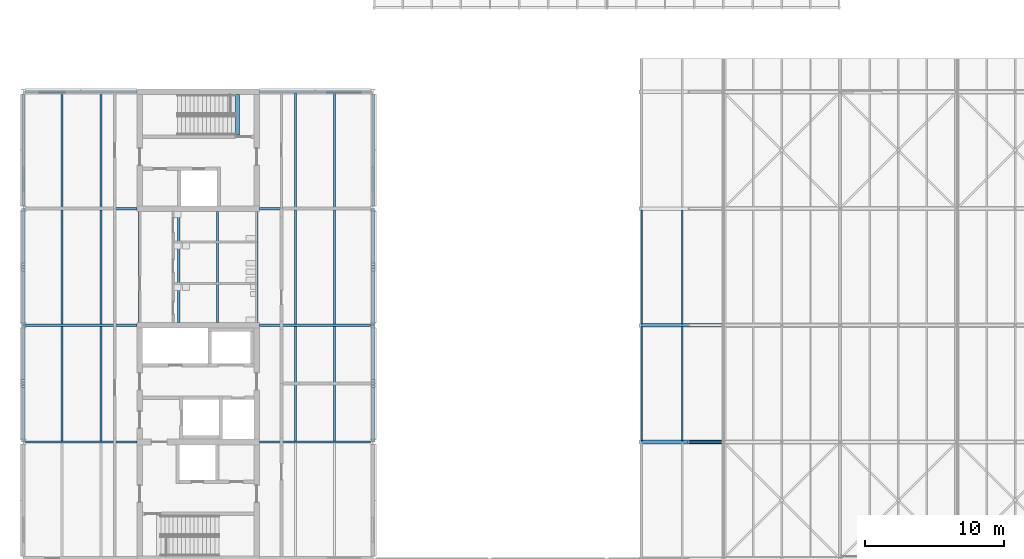
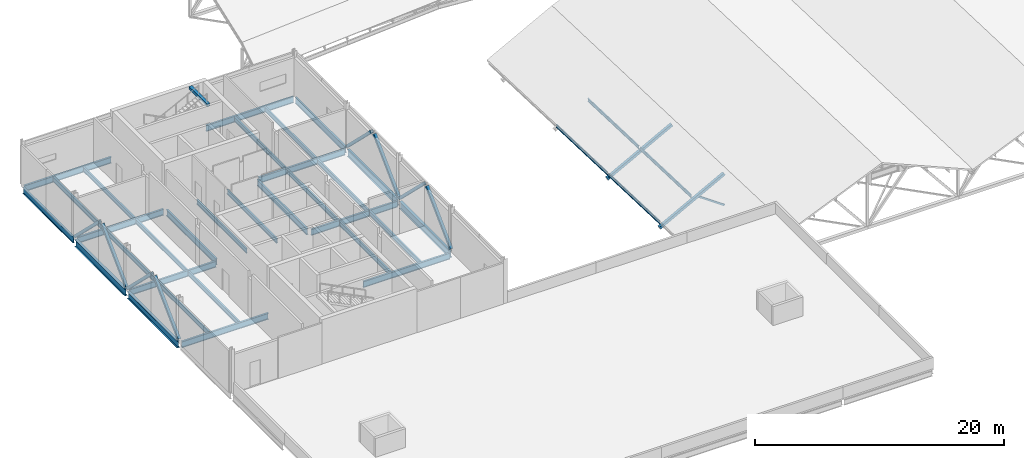
# One storey, part 10 of 76: 37 beams, 9 members.
"""IFC4 building model written with IfcOpenShell, lengths in metres."""

from ifc_helpers import new_model, si_unit, direction, frame, origin, origin_2d, place, context, subcontext, project, spatial, rectangle, hollow_rectangle, i_section, extrude, material, material_profile, profile_set, type_object, element, save


model = new_model("IFC4")

# Units and contexts
model_context = context("Model", 3, precision=1e-05, world=origin(), true_north=direction((0.0, 1.0)))
body_context = subcontext(model_context, "Body", "Model", "MODEL_VIEW")
ifc_project = project(units=[si_unit("LENGTHUNIT", "METRE"), si_unit("AREAUNIT", "SQUARE_METRE"), si_unit("VOLUMEUNIT", "CUBIC_METRE"), si_unit("PLANEANGLEUNIT", "RADIAN"), si_unit("MASSUNIT", "GRAM", prefix="KILO")], contexts=[model_context])

# Site, building, storey
site_placement = place(None, origin())
site = spatial("IfcSite", under=ifc_project, at=site_placement, CompositionType="ELEMENT")
building_placement = place(site_placement, origin())
building = spatial("IfcBuilding", under=site, at=building_placement, Name="Hlaing Beacon Police Headquarters", CompositionType="ELEMENT")
storey_placement = place(building_placement, frame((0.0, 0.0, 18.89990234375)))
storey = spatial("IfcBuildingStorey", under=building, at=storey_placement, Name="L04", CompositionType="ELEMENT", Elevation=18.89990234375)

# Members
ifc_material_1 = material(Name="Steel ASTM A500 Grade C", Category="steel")
ifc_material_profile_1 = material_profile(ifc_material_1, hollow_rectangle(XDim=0.25390625, YDim=0.25390625, WallThickness=0.009521484375, at=origin_2d()), Name="HSS10x10x3/8")
ifc_profile_set_1 = profile_set([ifc_material_profile_1], Name="Steel ASTM A500 Grade C")
member_type_1 = type_object("IfcMemberType", Name="Chevron brace HSS10x10x3/8", PredefinedType="BRACE", material=ifc_profile_set_1)
for number, where, z_axis, x_axis, name in (
    (1, (8.39990234375, 42.093994140625, 0.091064453125), (0.0, 0.714838395404, 0.69928968851), (-1.0, 0.0, 0.0), "STR-BR-L04-B6a"),
    (2, (8.39990234375, 50.305908203125, 0.091064453125), (0.0, -0.714838395404, 0.69928968851), (1.0, 0.0, 0.0), "STR-BR-L04-B6b"),
    (3, (8.39990234375, 50.493896484375, 0.091064453125), (0.0, 0.714838395404, 0.69928968851), (-1.0, 0.0, 0.0), "STR-BR-L04-B7a"),
    (4, (8.39990234375, 58.7060546875, 0.091064453125), (0.0, -0.714838395404, 0.69928968851), (1.0, 0.0, 0.0), "STR-BR-L04-B7b"),
    (5, (33.60009765625, 42.093994140625, 0.091064453125), (0.0, 0.714838395404, 0.69928968851), (-1.0, 0.0, 0.0), "STR-BR-L04-E6a"),
    (6, (33.60009765625, 50.305908203125, 0.091064453125), (0.0, -0.714838395404, 0.69928968851), (1.0, 0.0, 0.0), "STR-BR-L04-E6b"),
    (7, (33.60009765625, 50.493896484375, 0.091064453125), (0.0, 0.714838395404, 0.69928968851), (-1.0, 0.0, 0.0), "STR-BR-L04-E7a"),
    (8, (33.60009765625, 58.7060546875, 0.091064453125), (0.0, -0.714838395404, 0.69928968851), (1.0, 0.0, 0.0), "STR-BR-L04-E7b"),
):
    element("IfcMember", number, at=place(storey_placement, frame(where, z_axis=z_axis, x_axis=x_axis)), inside=storey, type_object=member_type_1, Name=name, PredefinedType="BRACE", context=body_context, shape_type="SweptSolid", body=[
        extrude(hollow_rectangle(XDim=0.25390625, YDim=0.25390625, WallThickness=0.009521484375, at=origin_2d()), origin(), (0.0, 0.0, 1.0), 5.464111328125),
    ])
ifc_material_2 = material(Name="Steel ASTM A500 Grade C", Category="steel")
ifc_material_profile_2 = material_profile(ifc_material_2, hollow_rectangle(XDim=0.15234375, YDim=0.15234375, WallThickness=0.0126953125, at=origin_2d()), Name="HSS6x6x1/2")
ifc_profile_set_2 = profile_set([ifc_material_profile_2], Name="Steel ASTM A500 Grade C")
member_type_2 = type_object("IfcMemberType", Name="Eave strut HSS6x6x1/2", PredefinedType="BRACE", material=ifc_profile_set_2)
member_placement = place(storey_placement, frame((58.800048828125, 42.0, -4.347412109375), z_axis=(-0.820772849728, 0.0, 0.571254697267), x_axis=(0.0, -1.0, 0.0)))
element("IfcMember", 9, at=member_placement, inside=storey, type_object=member_type_2, Name="STR-RT-V1-T2-ST01", PredefinedType="BRACE", context=body_context, shape_type="SweptSolid", body=[
    extrude(hollow_rectangle(XDim=0.15234375, YDim=0.15234375, WallThickness=0.0126953125, at=origin_2d()), origin(), (0.0, 0.0, 1.0), 3.0458984375),
])

# Beams
ifc_material_3 = material(Name="Steel ASTM A992 Grade 50", Category="steel")
ifc_material_profile_3 = material_profile(ifc_material_3, i_section(OverallWidth=0.177978515625, OverallDepth=0.599365234375, WebThickness=0.010009765625, FlangeThickness=0.012939453125, FilletRadius=0.012939453125, at=origin_2d()), Name="W24x55")
ifc_profile_set_3 = profile_set([ifc_material_profile_3], Name="Steel ASTM A992 Grade 50")
beam_type_1 = type_object("IfcBeamType", Name="Girder W24x55", PredefinedType="BEAM", material=ifc_profile_set_3)
for number, where, z_axis, x_axis, name in (
    (10, (8.5849609375, 42.0, -0.4296875), (1.0, 0.0, 0.0), (0.0, 1.0, 0.0), "STR-BM-L04-GX-B6-C6"),
    (11, (25.39990234375, 42.0, -0.4296875), (1.0, 0.0, 0.0), (0.0, 1.0, 0.0), "STR-BM-L04-GX-D6-E6"),
    (12, (8.5849609375, 50.39990234375, -0.4296875), (1.0, 0.0, 0.0), (0.0, 1.0, 0.0), "STR-BM-L04-GX-B7-C7"),
    (13, (25.39990234375, 50.39990234375, -0.4296875), (1.0, 0.0, 0.0), (0.0, 1.0, 0.0), "STR-BM-L04-GX-D7-E7"),
    (14, (8.5849609375, 58.800048828125, -0.4296875), (1.0, 0.0, 0.0), (0.0, 1.0, 0.0), "STR-BM-L04-GX-B8-C8"),
    (15, (25.39990234375, 58.800048828125, -0.4296875), (1.0, 0.0, 0.0), (0.0, 1.0, 0.0), "STR-BM-L04-GX-D8-E8"),
):
    element("IfcBeam", number, at=place(storey_placement, frame(where, z_axis=z_axis, x_axis=x_axis)), inside=storey, type_object=beam_type_1, Name=name, PredefinedType="BEAM", context=body_context, shape_type="SweptSolid", body=[
        extrude(i_section(OverallWidth=0.177978515625, OverallDepth=0.599365234375, WebThickness=0.010009765625, FlangeThickness=0.012939453125, FilletRadius=0.012939453125, at=origin_2d()), origin(), (0.0, 0.0, 1.0), 8.01513671875),
    ])
for number, where, z_axis, x_axis, name in (
    (16, (8.527099609375, 67.199951171875, -0.4296875), (1.0, 0.0, 0.0), (0.0, 1.0, 0.0), "STR-BM-L04-GX-B9-C9"),
    (17, (25.39990234375, 67.199951171875, -0.4296875), (1.0, 0.0, 0.0), (0.0, 1.0, 0.0), "STR-BM-L04-GX-D9-E9"),
):
    element("IfcBeam", number, at=place(storey_placement, frame(where, z_axis=z_axis, x_axis=x_axis)), inside=storey, type_object=beam_type_1, Name=name, PredefinedType="BEAM", context=body_context, shape_type="SweptSolid", body=[
        extrude(i_section(OverallWidth=0.177978515625, OverallDepth=0.599365234375, WebThickness=0.010009765625, FlangeThickness=0.012939453125, FilletRadius=0.012939453125, at=origin_2d()), origin(), (0.0, 0.0, 1.0), 8.072998046875),
    ])
beam_1_placement = place(storey_placement, frame((8.39990234375, 58.98193359375, -0.4296875), z_axis=(0.0, 1.0, 0.0), x_axis=(-1.0, 0.0, 0.0)))
element("IfcBeam", 18, at=beam_1_placement, inside=storey, type_object=beam_type_1, Name="STR-BM-L04-GY-B8-B9", PredefinedType="BEAM", context=body_context, shape_type="SweptSolid", body=[
    extrude(i_section(OverallWidth=0.177978515625, OverallDepth=0.599365234375, WebThickness=0.010009765625, FlangeThickness=0.012939453125, FilletRadius=0.012939453125, at=origin_2d()), origin(), (0.0, 0.0, 1.0), 8.0400390625),
])
for number, where, z_axis, x_axis, name in (
    (19, (16.800048828125, 50.60009765625, -0.4296875), (0.0, 1.0, 0.0), (-1.0, 0.0, 0.0), "STR-BM-L04-GY-C7-C8"),
    (20, (25.199951171875, 50.60009765625, -0.4296875), (0.0, 1.0, 0.0), (-1.0, 0.0, 0.0), "STR-BM-L04-GY-D7-D8"),
):
    element("IfcBeam", number, at=place(storey_placement, frame(where, z_axis=z_axis, x_axis=x_axis)), inside=storey, type_object=beam_type_1, Name=name, PredefinedType="BEAM", context=body_context, shape_type="SweptSolid", body=[
        extrude(i_section(OverallWidth=0.177978515625, OverallDepth=0.599365234375, WebThickness=0.010009765625, FlangeThickness=0.012939453125, FilletRadius=0.012939453125, at=origin_2d()), origin(), (0.0, 0.0, 1.0), 8.0),
    ])
beam_2_placement = place(storey_placement, frame((33.60009765625, 58.98193359375, -0.4296875), z_axis=(0.0, 1.0, 0.0), x_axis=(-1.0, 0.0, 0.0)))
element("IfcBeam", 21, at=beam_2_placement, inside=storey, type_object=beam_type_1, Name="STR-BM-L04-GY-E8-E9", PredefinedType="BEAM", context=body_context, shape_type="SweptSolid", body=[
    extrude(i_section(OverallWidth=0.177978515625, OverallDepth=0.599365234375, WebThickness=0.010009765625, FlangeThickness=0.012939453125, FilletRadius=0.012939453125, at=origin_2d()), origin(), (0.0, 0.0, 1.0), 8.0400390625),
])
ifc_material_4 = material(Name="Steel ASTM A992 Grade 50", Category="steel")
ifc_material_profile_4 = material_profile(ifc_material_4, i_section(OverallWidth=0.25390625, OverallDepth=0.683349609375, WebThickness=0.012451171875, FlangeThickness=0.01904296875, FilletRadius=0.01513671875, at=origin_2d()), Name="W27x94")
ifc_profile_set_4 = profile_set([ifc_material_profile_4], Name="Steel ASTM A992 Grade 50")
beam_type_2 = type_object("IfcBeamType", Name="Girder W27x94", PredefinedType="BEAM", material=ifc_profile_set_4)
beam_3_placement = place(storey_placement, frame((8.39990234375, 42.181884765625, -0.471435546875), z_axis=(0.0, 1.0, 0.0), x_axis=(-1.0, 0.0, 0.0)))
element("IfcBeam", 22, at=beam_3_placement, inside=storey, type_object=beam_type_2, Name="STR-BM-L04-GY-B6-B7", PredefinedType="BEAM", context=body_context, shape_type="SweptSolid", body=[
    extrude(i_section(OverallWidth=0.25390625, OverallDepth=0.683349609375, WebThickness=0.012451171875, FlangeThickness=0.01904296875, FilletRadius=0.01513671875, at=origin_2d()), origin(), (0.0, 0.0, 1.0), 8.0361328125),
])
beam_4_placement = place(storey_placement, frame((8.39990234375, 50.58203125, -0.471435546875), z_axis=(0.0, 1.0, 0.0), x_axis=(-1.0, 0.0, 0.0)))
element("IfcBeam", 23, at=beam_4_placement, inside=storey, type_object=beam_type_2, Name="STR-BM-L04-GY-B7-B8", PredefinedType="BEAM", context=body_context, shape_type="SweptSolid", body=[
    extrude(i_section(OverallWidth=0.25390625, OverallDepth=0.683349609375, WebThickness=0.012451171875, FlangeThickness=0.01904296875, FilletRadius=0.01513671875, at=origin_2d()), origin(), (0.0, 0.0, 1.0), 8.035888671875),
])
beam_5_placement = place(storey_placement, frame((33.60009765625, 42.181884765625, -0.471435546875), z_axis=(0.0, 1.0, 0.0), x_axis=(-1.0, 0.0, 0.0)))
element("IfcBeam", 24, at=beam_5_placement, inside=storey, type_object=beam_type_2, Name="STR-BM-L04-GY-E6-E7", PredefinedType="BEAM", context=body_context, shape_type="SweptSolid", body=[
    extrude(i_section(OverallWidth=0.25390625, OverallDepth=0.683349609375, WebThickness=0.012451171875, FlangeThickness=0.01904296875, FilletRadius=0.01513671875, at=origin_2d()), origin(), (0.0, 0.0, 1.0), 8.0361328125),
])
beam_6_placement = place(storey_placement, frame((33.60009765625, 50.58203125, -0.471435546875), z_axis=(0.0, 1.0, 0.0), x_axis=(-1.0, 0.0, 0.0)))
element("IfcBeam", 25, at=beam_6_placement, inside=storey, type_object=beam_type_2, Name="STR-BM-L04-GY-E7-E8", PredefinedType="BEAM", context=body_context, shape_type="SweptSolid", body=[
    extrude(i_section(OverallWidth=0.25390625, OverallDepth=0.683349609375, WebThickness=0.012451171875, FlangeThickness=0.01904296875, FilletRadius=0.01513671875, at=origin_2d()), origin(), (0.0, 0.0, 1.0), 8.035888671875),
])
ifc_material_5 = material(Name="Steel ASTM A992 Grade 50", Category="steel")
ifc_material_profile_5 = material_profile(ifc_material_5, i_section(OverallWidth=0.102294921875, OverallDepth=0.3125, WebThickness=0.006591796875, FlangeThickness=0.0107421875, FilletRadius=0.007568359375, at=origin_2d()), Name="W12x22")
ifc_profile_set_5 = profile_set([ifc_material_profile_5], Name="Steel ASTM A992 Grade 50")
beam_type_3 = type_object("IfcBeamType", Name="Roof purlin W12x22", PredefinedType="BEAM", material=ifc_profile_set_5)
beam_7_placement = place(storey_placement, frame((52.931640625, 42.090576171875, -4.0869140625), z_axis=(0.0, 0.999362097782, -0.035712708045), x_axis=(-1.0, 0.0, 0.0)))
element("IfcBeam", 26, at=beam_7_placement, inside=storey, type_object=beam_type_3, Name="STR-RT-V1-PR-R1-01-2", PredefinedType="BEAM", context=body_context, shape_type="SweptSolid", body=[
    extrude(i_section(OverallWidth=0.102294921875, OverallDepth=0.3125, WebThickness=0.006591796875, FlangeThickness=0.0107421875, FilletRadius=0.007568359375, at=origin_2d()), origin(), (0.0, 0.0, 1.0), 8.223876953125),
])
beam_8_placement = place(storey_placement, frame((52.931640625, 50.490478515625, -4.386962890625), z_axis=(0.0, 0.999362135643, -0.035711648572), x_axis=(-1.0, 0.0, 0.0)))
element("IfcBeam", 27, at=beam_8_placement, inside=storey, type_object=beam_type_3, Name="STR-RT-V1-PR-R1-01-3", PredefinedType="BEAM", context=body_context, shape_type="SweptSolid", body=[
    extrude(i_section(OverallWidth=0.102294921875, OverallDepth=0.3125, WebThickness=0.006591796875, FlangeThickness=0.0107421875, FilletRadius=0.007568359375, at=origin_2d()), origin(), (0.0, 0.0, 1.0), 8.22412109375),
])
beam_9_placement = place(storey_placement, frame((55.835205078125, 42.090576171875, -2.538330078125), z_axis=(0.0, 0.999362097782, -0.035712708045), x_axis=(-1.0, 0.0, 0.0)))
element("IfcBeam", 28, at=beam_9_placement, inside=storey, type_object=beam_type_3, Name="STR-RT-V1-PR-R1-02-2", PredefinedType="BEAM", context=body_context, shape_type="SweptSolid", body=[
    extrude(i_section(OverallWidth=0.102294921875, OverallDepth=0.3125, WebThickness=0.006591796875, FlangeThickness=0.0107421875, FilletRadius=0.007568359375, at=origin_2d()), origin(), (0.0, 0.0, 1.0), 8.223876953125),
])
beam_10_placement = place(storey_placement, frame((55.835205078125, 50.490478515625, -2.83837890625), z_axis=(0.0, 0.999362135643, -0.035711648572), x_axis=(-1.0, 0.0, 0.0)))
element("IfcBeam", 29, at=beam_10_placement, inside=storey, type_object=beam_type_3, Name="STR-RT-V1-PR-R1-02-3", PredefinedType="BEAM", context=body_context, shape_type="SweptSolid", body=[
    extrude(i_section(OverallWidth=0.102294921875, OverallDepth=0.3125, WebThickness=0.006591796875, FlangeThickness=0.0107421875, FilletRadius=0.007568359375, at=origin_2d()), origin(), (0.0, 0.0, 1.0), 8.22412109375),
])
ifc_material_6 = material(Name="Steel ASTM A992 Grade 50", Category="steel")
ifc_material_profile_6 = material_profile(ifc_material_6, i_section(OverallWidth=0.15234375, OverallDepth=0.449462890625, WebThickness=0.007568359375, FlangeThickness=0.0107421875, FilletRadius=0.01025390625, at=origin_2d()), Name="W18x35")
ifc_profile_set_6 = profile_set([ifc_material_profile_6], Name="Steel ASTM A992 Grade 50")
beam_type_4 = type_object("IfcBeamType", Name="Secondary beam W18x35", PredefinedType="BEAM", material=ifc_profile_set_6)
for number, where, z_axis, x_axis, name in (
    (30, (11.199951171875, 42.089111328125, -0.354736328125), (0.0, 1.0, 0.0), (-1.0, 0.0, 0.0), "STR-BM-L04-SB-B6-y1"),
    (31, (14.0, 42.089111328125, -0.354736328125), (0.0, 1.0, 0.0), (-1.0, 0.0, 0.0), "STR-BM-L04-SB-B6-y2"),
    (32, (11.199951171875, 50.489013671875, -0.354736328125), (0.0, 1.0, 0.0), (-1.0, 0.0, 0.0), "STR-BM-L04-SB-B7-y1"),
    (33, (14.0, 50.489013671875, -0.354736328125), (0.0, 1.0, 0.0), (-1.0, 0.0, 0.0), "STR-BM-L04-SB-B7-y2"),
):
    element("IfcBeam", number, at=place(storey_placement, frame(where, z_axis=z_axis, x_axis=x_axis)), inside=storey, type_object=beam_type_4, Name=name, PredefinedType="BEAM", context=body_context, shape_type="SweptSolid", body=[
        extrude(i_section(OverallWidth=0.15234375, OverallDepth=0.449462890625, WebThickness=0.007568359375, FlangeThickness=0.0107421875, FilletRadius=0.01025390625, at=origin_2d()), origin(), (0.0, 0.0, 1.0), 8.221923828125),
    ])
for number, where, z_axis, x_axis, name in (
    (34, (11.199951171875, 58.888916015625, -0.354736328125), (0.0, 1.0, 0.0), (-1.0, 0.0, 0.0), "STR-BM-L04-SB-B8-y1"),
    (35, (14.0, 58.888916015625, -0.354736328125), (0.0, 1.0, 0.0), (-1.0, 0.0, 0.0), "STR-BM-L04-SB-B8-y2"),
):
    element("IfcBeam", number, at=place(storey_placement, frame(where, z_axis=z_axis, x_axis=x_axis)), inside=storey, type_object=beam_type_4, Name=name, PredefinedType="BEAM", context=body_context, shape_type="SweptSolid", body=[
        extrude(i_section(OverallWidth=0.15234375, OverallDepth=0.449462890625, WebThickness=0.007568359375, FlangeThickness=0.0107421875, FilletRadius=0.01025390625, at=origin_2d()), origin(), (0.0, 0.0, 1.0), 8.22216796875),
    ])
for number, where, z_axis, x_axis, name in (
    (36, (19.60009765625, 50.60009765625, -0.354736328125), (0.0, 1.0, 0.0), (-1.0, 0.0, 0.0), "STR-BM-L04-SB-C7-y1"),
    (37, (22.39990234375, 50.60009765625, -0.354736328125), (0.0, 1.0, 0.0), (-1.0, 0.0, 0.0), "STR-BM-L04-SB-C7-y2"),
):
    element("IfcBeam", number, at=place(storey_placement, frame(where, z_axis=z_axis, x_axis=x_axis)), inside=storey, type_object=beam_type_4, Name=name, PredefinedType="BEAM", context=body_context, shape_type="SweptSolid", body=[
        extrude(i_section(OverallWidth=0.15234375, OverallDepth=0.449462890625, WebThickness=0.007568359375, FlangeThickness=0.0107421875, FilletRadius=0.01025390625, at=origin_2d()), origin(), (0.0, 0.0, 1.0), 8.0),
    ])
for number, where, z_axis, x_axis, name in (
    (38, (28.0, 42.089111328125, -0.354736328125), (0.0, 1.0, 0.0), (-1.0, 0.0, 0.0), "STR-BM-L04-SB-D6-y1"),
    (39, (30.800048828125, 42.089111328125, -0.354736328125), (0.0, 1.0, 0.0), (-1.0, 0.0, 0.0), "STR-BM-L04-SB-D6-y2"),
    (40, (28.0, 50.489013671875, -0.354736328125), (0.0, 1.0, 0.0), (-1.0, 0.0, 0.0), "STR-BM-L04-SB-D7-y1"),
    (41, (30.800048828125, 50.489013671875, -0.354736328125), (0.0, 1.0, 0.0), (-1.0, 0.0, 0.0), "STR-BM-L04-SB-D7-y2"),
):
    element("IfcBeam", number, at=place(storey_placement, frame(where, z_axis=z_axis, x_axis=x_axis)), inside=storey, type_object=beam_type_4, Name=name, PredefinedType="BEAM", context=body_context, shape_type="SweptSolid", body=[
        extrude(i_section(OverallWidth=0.15234375, OverallDepth=0.449462890625, WebThickness=0.007568359375, FlangeThickness=0.0107421875, FilletRadius=0.01025390625, at=origin_2d()), origin(), (0.0, 0.0, 1.0), 8.221923828125),
    ])
for number, where, z_axis, x_axis, name in (
    (42, (28.0, 58.888916015625, -0.354736328125), (0.0, 1.0, 0.0), (-1.0, 0.0, 0.0), "STR-BM-L04-SB-D8-y1"),
    (43, (30.800048828125, 58.888916015625, -0.354736328125), (0.0, 1.0, 0.0), (-1.0, 0.0, 0.0), "STR-BM-L04-SB-D8-y2"),
):
    element("IfcBeam", number, at=place(storey_placement, frame(where, z_axis=z_axis, x_axis=x_axis)), inside=storey, type_object=beam_type_4, Name=name, PredefinedType="BEAM", context=body_context, shape_type="SweptSolid", body=[
        extrude(i_section(OverallWidth=0.15234375, OverallDepth=0.449462890625, WebThickness=0.007568359375, FlangeThickness=0.0107421875, FilletRadius=0.01025390625, at=origin_2d()), origin(), (0.0, 0.0, 1.0), 8.22216796875),
    ])
ifc_material_7 = material(Name="Concrete C40/50", Category="concrete")
ifc_material_profile_7 = material_profile(ifc_material_7, rectangle(XDim=0.300048828125, YDim=0.25, at=origin_2d()), Name="Stair arrival beam 300x250")
ifc_profile_set_7 = profile_set([ifc_material_profile_7], Name="Concrete C40/50")
beam_type_5 = type_object("IfcBeamType", Name="Stair arrival beam 300x250", PredefinedType="BEAM", material=ifc_profile_set_7)
beam_11_placement = place(storey_placement, frame((23.840087890625, 67.0, 4.2451171875), z_axis=(0.0, -1.0, 0.0), x_axis=(1.0, 0.0, 0.0)))
element("IfcBeam", 44, at=beam_11_placement, inside=storey, type_object=beam_type_5, Name="Stair arrival beam ST-P", PredefinedType="BEAM", context=body_context, shape_type="SweptSolid", body=[
    extrude(rectangle(XDim=0.300048828125, YDim=0.25, at=origin_2d()), origin(), (0.0, 0.0, 1.0), 2.89990234375),
])
ifc_material_8 = material(Name="Steel ASTM A500 Grade C", Category="steel")
ifc_material_profile_8 = material_profile(ifc_material_8, hollow_rectangle(XDim=0.25390625, YDim=0.25390625, WallThickness=0.015869140625, at=origin_2d()), Name="HSS10x10x5/8")
ifc_profile_set_8 = profile_set([ifc_material_profile_8], Name="Steel ASTM A500 Grade C")
beam_type_6 = type_object("IfcBeamType", Name="Truss top chord HSS10x10x5/8", PredefinedType="BEAM", material=ifc_profile_set_8)
for number, where, z_axis, x_axis, name in (
    (45, (52.800048828125, 42.0, -4.48095703125), (0.881639912586, 0.0, 0.47192273153), (0.0, 1.0, 0.0), "STR-RT-V1-T2-TC01"),
    (46, (52.800048828125, 50.39990234375, -4.781005859375), (0.881639912586, 0.0, 0.47192273153), (0.0, 1.0, 0.0), "STR-RT-V1-T3-TC01"),
):
    element("IfcBeam", number, at=place(storey_placement, frame(where, z_axis=z_axis, x_axis=x_axis)), inside=storey, type_object=beam_type_6, Name=name, PredefinedType="BEAM", context=body_context, shape_type="SweptSolid", body=[
        extrude(hollow_rectangle(XDim=0.25390625, YDim=0.25390625, WallThickness=0.015869140625, at=origin_2d()), origin(), (0.0, 0.0, 1.0), 6.805419921875),
    ])

save(model, "model.ifc")
